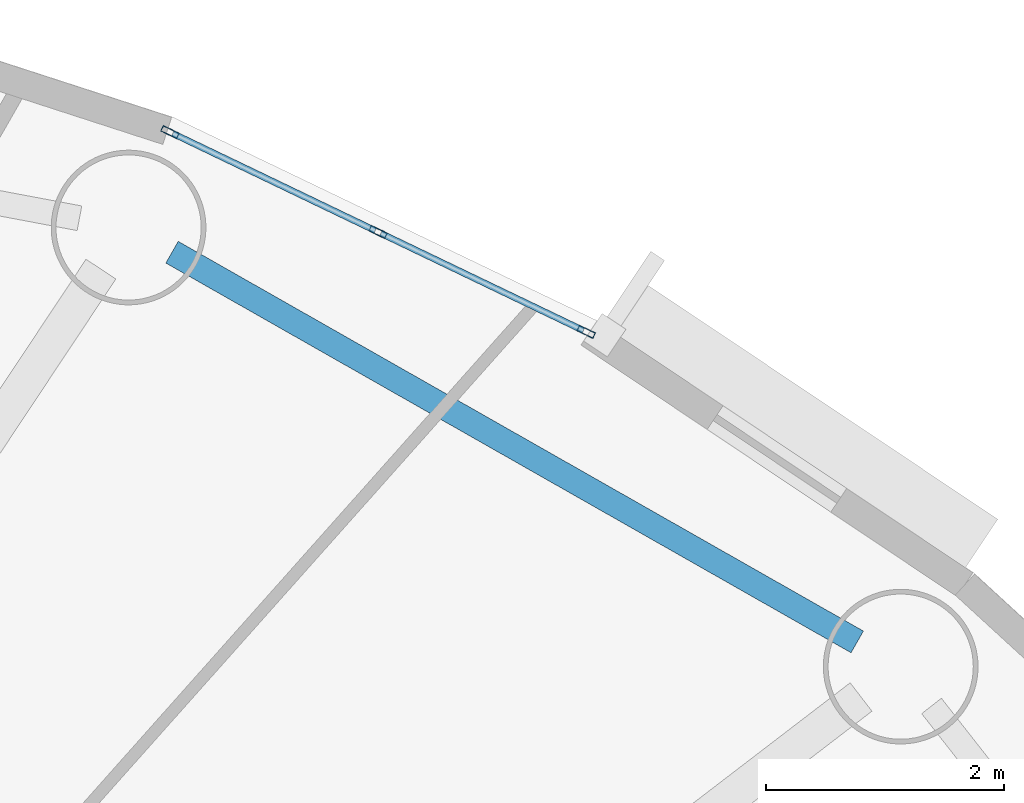
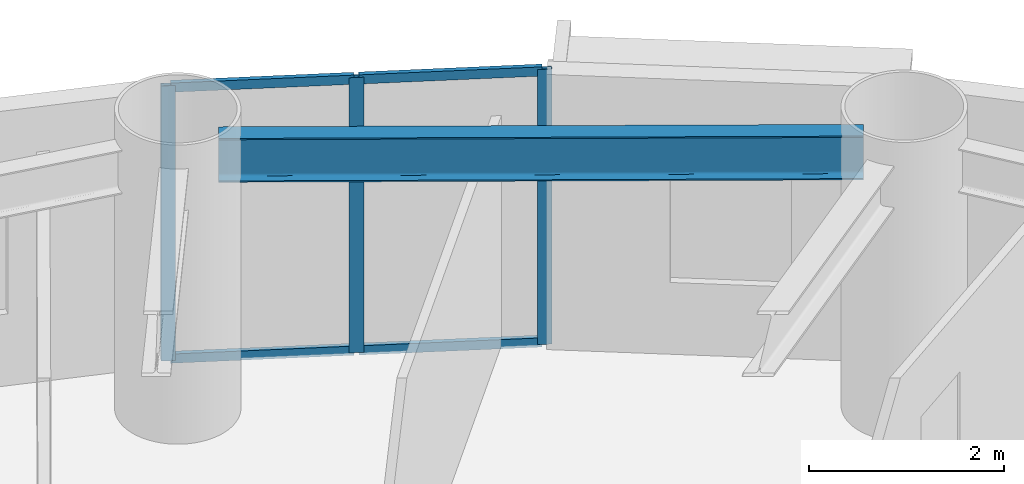
# One storey, part 4 of 17: 7 members, 1 beam, 1 element without a shape of its own.
"""IFC4 building model written with IfcOpenShell, lengths in metres."""

from ifc_helpers import new_model, si_unit, direction, frame, origin, origin_2d, place, context, subcontext, project, spatial, hollow_rectangle, i_section, extrude, source, transform, mapped, material, layer, layer_set, material_profile, profile_set, type_object, element, aggregate, save


model = new_model("IFC4")

# Units and contexts
model_context = context("Model", 3, precision=1e-05, world=origin(), true_north=direction((0.0, 1.0)))
body_context = subcontext(model_context, "Body", "Model", "MODEL_VIEW")
ifc_project = project(units=[si_unit("LENGTHUNIT", "METRE"), si_unit("AREAUNIT", "SQUARE_METRE"), si_unit("VOLUMEUNIT", "CUBIC_METRE"), si_unit("PLANEANGLEUNIT", "RADIAN"), si_unit("MASSUNIT", "GRAM", prefix="KILO")], contexts=[model_context])

# Site, building, storey
site_placement = place(None, origin())
site = spatial("IfcSite", under=ifc_project, at=site_placement, CompositionType="ELEMENT")
building_placement = place(site_placement, origin())
building = spatial("IfcBuilding", under=site, at=building_placement, Name="Linh Dai School and Residence Tower", CompositionType="ELEMENT")
storey_placement = place(building_placement, frame((0.0, 0.0, 201.14990234375)))
storey = spatial("IfcBuildingStorey", under=building, at=storey_placement, Name="L49", CompositionType="ELEMENT", Elevation=201.14990234375)

# Beam
ifc_material_1 = material(Name="Structural Steel S355JR", Category="steel")
ifc_material_profile_1 = material_profile(ifc_material_1, i_section(OverallWidth=0.2099609375, OverallDepth=0.550048828125, WebThickness=0.010986328125, FlangeThickness=0.01708984375, FilletRadius=0.02392578125, at=origin_2d()), Name="IPE 550")
ifc_profile_set_1 = profile_set([ifc_material_profile_1], Name="Structural Steel S355JR")
beam_type = type_object("IfcBeamType", Name="BM-RB55", PredefinedType="BEAM", material=ifc_profile_set_1)
beam_placement = place(storey_placement, frame((53.827392578125, 41.1494140625, 3.175048828125), z_axis=(-0.869262164011, 0.49435138335, 0.0), x_axis=(-0.49435138335, -0.869262164011, 0.0)))
element("IfcBeam", 1, at=beam_placement, inside=storey, type_object=beam_type, Name="L49 Perimeter Elliptical Ring Beam 03", PredefinedType="BEAM", context=body_context, shape_type="SweptSolid", body=[
    extrude(i_section(OverallWidth=0.2099609375, OverallDepth=0.550048828125, WebThickness=0.010986328125, FlangeThickness=0.01708984375, FilletRadius=0.02392578125, at=origin_2d()), origin(), (0.0, 0.0, 1.0), 6.62255859375),
])

# Curtain wall, members
ifc_material_2 = material(Name="Aluminium Anodised Curtain Wall", Category="aluminium")
ifc_layer = layer(ifc_material_2, 0.14990234375)
ifc_layer_set = layer_set([ifc_layer], Name="Aluminium Anodised Curtain Wall")
curtain_wall_type = type_object("IfcCurtainWallType", Name="CW-SYS-4", PredefinedType="USERDEFINED", material=ifc_layer_set)
curtain_wall_placement = place(storey_placement, origin())
curtain_wall = element("IfcCurtainWall", 2, at=curtain_wall_placement, inside=storey, type_object=curtain_wall_type, Name="L49 CW4 Curtain Wall 07", ObjectType="RIBBON CURTAIN WALL", PredefinedType="USERDEFINED")
ifc_material_3 = material(Name="Aluminium Alloy 6063-T6", Category="aluminium")
ifc_material_profile_2 = material_profile(ifc_material_3, hollow_rectangle(XDim=0.052001953125, YDim=0.114990234375, WallThickness=0.00390625, at=origin_2d()), Name="RHS 115x52x4")
ifc_profile_set_2 = profile_set([ifc_material_profile_2], Name="Aluminium Alloy 6063-T6")
member_type_1 = type_object("IfcMemberType", Name="CW-SYS-4-TRN", PredefinedType="USERDEFINED", material=ifc_profile_set_2)
shared_shape_1 = source(origin(), body_context, "Body", "SweptSolid", [
    extrude(hollow_rectangle(XDim=0.052001953125, YDim=0.114990234375, WallThickness=0.00390625, at=origin_2d()), origin(), (0.0, 0.0, 1.0), 1.88720703125),
])
member_1_placement = place(storey_placement, frame((48.07666015625, 45.421142578125, 0.026123046875), z_axis=(0.901579575553, -0.432613301858, 0.0), x_axis=(0.432613301858, 0.901579575553, 0.0)))
member_1 = element("IfcMember", 3, at=member_1_placement, type_object=member_type_1, Name="CW4 transom 1.1", ObjectType="TRANSOM", PredefinedType="USERDEFINED", context=body_context, shape_type="MappedRepresentation", body=[
    mapped(shared_shape_1, transform((0.0, 0.0, 0.0), x_axis=(1.0, 0.0, 0.0), y_axis=(0.0, 1.0, 0.0), z_axis=(0.0, 0.0, 1.0), scale=1.0)),
])
member_2_placement = place(storey_placement, frame((48.07666015625, 45.421142578125, 3.424072265625), z_axis=(0.901579575553, -0.432613301858, 0.0), x_axis=(0.432613301858, 0.901579575553, 0.0)))
member_2 = element("IfcMember", 4, at=member_2_placement, type_object=member_type_1, Name="CW4 transom 1.2", ObjectType="TRANSOM", PredefinedType="USERDEFINED", context=body_context, shape_type="MappedRepresentation", body=[
    mapped(shared_shape_1, transform((0.0, 0.0, 0.0), x_axis=(1.0, 0.0, 0.0), y_axis=(0.0, 1.0, 0.0), z_axis=(0.0, 0.0, 1.0), scale=1.0)),
])
member_3_placement = place(storey_placement, frame((49.824951171875, 44.58203125, 0.026123046875), z_axis=(0.901579575553, -0.432613301858, 0.0), x_axis=(0.432613301858, 0.901579575553, 0.0)))
member_3 = element("IfcMember", 5, at=member_3_placement, type_object=member_type_1, Name="CW4 transom 2.1", ObjectType="TRANSOM", PredefinedType="USERDEFINED", context=body_context, shape_type="MappedRepresentation", body=[
    mapped(shared_shape_1, transform((0.0, 0.0, 0.0), x_axis=(1.0, 0.0, 0.0), y_axis=(0.0, 1.0, 0.0), z_axis=(0.0, 0.0, 1.0), scale=1.0)),
])
member_4_placement = place(storey_placement, frame((49.824951171875, 44.58203125, 3.424072265625), z_axis=(0.901579575553, -0.432613301858, 0.0), x_axis=(0.432613301858, 0.901579575553, 0.0)))
member_4 = element("IfcMember", 6, at=member_4_placement, type_object=member_type_1, Name="CW4 transom 2.2", ObjectType="TRANSOM", PredefinedType="USERDEFINED", context=body_context, shape_type="MappedRepresentation", body=[
    mapped(shared_shape_1, transform((0.0, 0.0, 0.0), x_axis=(1.0, 0.0, 0.0), y_axis=(0.0, 1.0, 0.0), z_axis=(0.0, 0.0, 1.0), scale=1.0)),
])
ifc_material_profile_3 = material_profile(ifc_material_3, hollow_rectangle(XDim=0.052001953125, YDim=0.14990234375, WallThickness=0.00390625, at=origin_2d()), Name="RHS 150x52x4")
ifc_profile_set_3 = profile_set([ifc_material_profile_3], Name="Aluminium Alloy 6063-T6")
member_type_2 = type_object("IfcMemberType", Name="CW-SYS-4-MUL", PredefinedType="MULLION", material=ifc_profile_set_3)
shared_shape_2 = source(origin(), body_context, "Body", "SweptSolid", [
    extrude(hollow_rectangle(XDim=0.052001953125, YDim=0.14990234375, WallThickness=0.00390625, at=origin_2d()), origin(), (0.0, 0.0, 1.0), 3.4501953125),
])
member_5_placement = place(storey_placement, frame((48.05322265625, 45.432373046875, 0.0), z_axis=(0.0, 0.0, 1.0), x_axis=(0.432634701653, 0.901569306779, 0.0)))
member_5 = element("IfcMember", 7, at=member_5_placement, type_object=member_type_2, Name="CW4 mullion 1", PredefinedType="MULLION", context=body_context, shape_type="MappedRepresentation", body=[
    mapped(shared_shape_2, transform((0.0, 0.0, 0.0), x_axis=(1.0, 0.0, 0.0), y_axis=(0.0, 1.0, 0.0), z_axis=(0.0, 0.0, 1.0), scale=1.0)),
])
member_6_placement = place(storey_placement, frame((49.801513671875, 44.59326171875, 0.0), z_axis=(0.0, 0.0, 1.0), x_axis=(0.432634701653, 0.901569306779, 0.0)))
member_6 = element("IfcMember", 8, at=member_6_placement, type_object=member_type_2, Name="CW4 mullion 2", PredefinedType="MULLION", context=body_context, shape_type="MappedRepresentation", body=[
    mapped(shared_shape_2, transform((0.0, 0.0, 0.0), x_axis=(1.0, 0.0, 0.0), y_axis=(0.0, 1.0, 0.0), z_axis=(0.0, 0.0, 1.0), scale=1.0)),
])
member_7_placement = place(storey_placement, frame((51.5498046875, 43.75439453125, 0.0), z_axis=(0.0, 0.0, 1.0), x_axis=(0.432634701653, 0.901569306779, 0.0)))
member_7 = element("IfcMember", 9, at=member_7_placement, type_object=member_type_2, Name="CW4 mullion 3", PredefinedType="MULLION", context=body_context, shape_type="MappedRepresentation", body=[
    mapped(shared_shape_2, transform((0.0, 0.0, 0.0), x_axis=(1.0, 0.0, 0.0), y_axis=(0.0, 1.0, 0.0), z_axis=(0.0, 0.0, 1.0), scale=1.0)),
])
aggregate(curtain_wall, [member_5, member_6, member_7, member_1, member_2, member_3, member_4])

save(model, "model.ifc")
